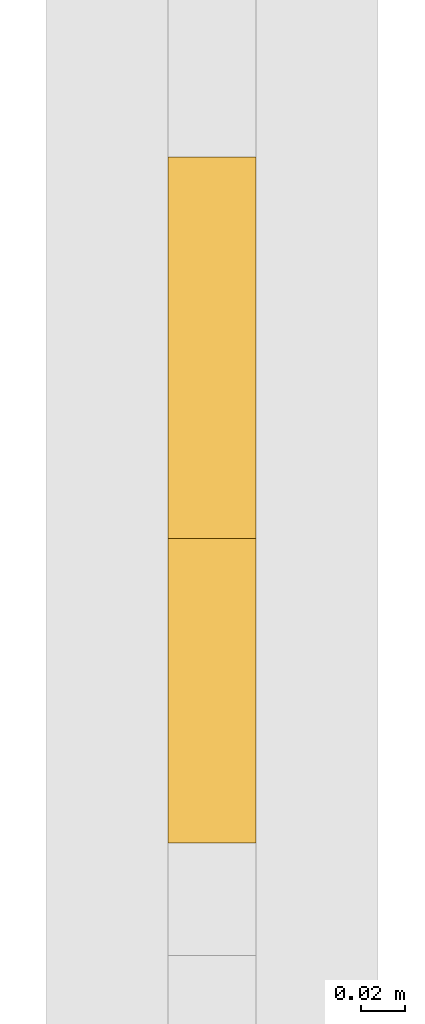
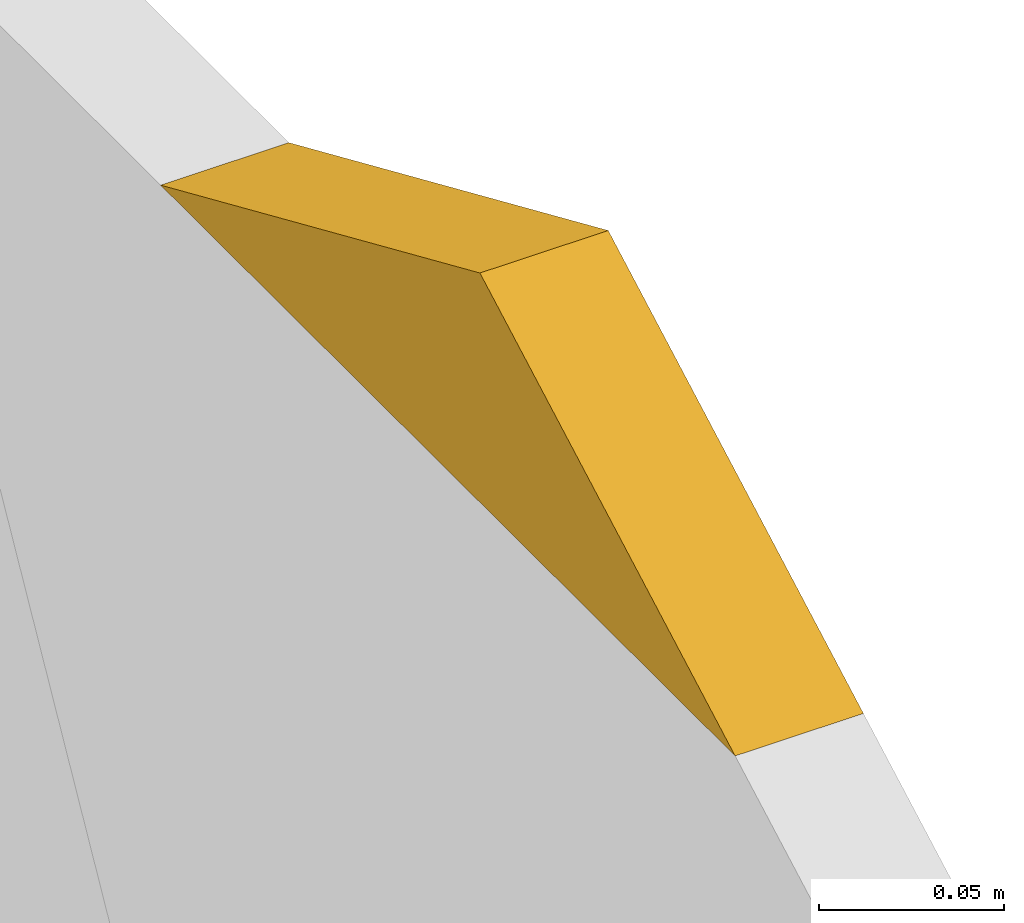
# One storey, part 20 of 23: 1 covering.
"""IFC4 building model written with IfcOpenShell, lengths in metres."""

from ifc_helpers import new_model, si_unit, direction, frame, origin, place, context, subcontext, project, spatial, polyline, outline, extrude, material, layer, layer_set, type_object, element, save


model = new_model("IFC4")

# Units and contexts
model_context = context("Model", 3, precision=1e-05, world=origin(), true_north=direction((0.0, 1.0)))
body_context = subcontext(model_context, "Body", "Model", "MODEL_VIEW")
ifc_project = project(units=[si_unit("LENGTHUNIT", "METRE"), si_unit("AREAUNIT", "SQUARE_METRE"), si_unit("VOLUMEUNIT", "CUBIC_METRE"), si_unit("PLANEANGLEUNIT", "RADIAN"), si_unit("MASSUNIT", "GRAM", prefix="KILO")], contexts=[model_context])

# Site, building, storey
site_placement = place(None, origin())
site = spatial("IfcSite", under=ifc_project, at=site_placement, CompositionType="ELEMENT")
building_placement = place(site_placement, origin())
building = spatial("IfcBuilding", under=site, at=building_placement, Name="Malebo Sky Hospital", CompositionType="ELEMENT")
storey_placement = place(building_placement, frame((0.0, 0.0, 168.0)))
storey = spatial("IfcBuildingStorey", under=building, at=storey_placement, Name="L40", CompositionType="ELEMENT", Elevation=168.0)

# Covering
ifc_material = material(Name="Anodised aluminium, natural silver insulated infill panel", Category="aluminium")
ifc_layer = layer(ifc_material, 0.0400390625)
ifc_layer_set = layer_set([ifc_layer], Name="BRACE INFILL PANEL 40")
covering_type = type_object("IfcCoveringType", Name="BRACE INFILL PANEL 40", PredefinedType="CLADDING", material=ifc_layer_set)
covering_placement = place(storey_placement, frame((84.135009765625, 68.170654296875, 3.38232421875), z_axis=(0.0, 0.0, 1.0), x_axis=(0.0, -1.0, 0.0)))
element("IfcCovering", 1, at=covering_placement, inside=storey, type_object=covering_type, Name="Brace infill panel 6.4", PredefinedType="CLADDING", context=body_context, shape_type="SweptSolid", body=[
    extrude(outline(polyline([(-0.1552734375, 0.0), (0.1552734375, 0.0), (0.017333984375, 0.07568359375), (-0.1552734375, 0.0)])), frame((0.0, 0.02001953125, 0.0), z_axis=(0.0, -1.0, 0.0), x_axis=(1.0, 0.0, 0.0)), (0.0, 0.0, 1.0), 0.0400390625),
])

save(model, "model.ifc")
